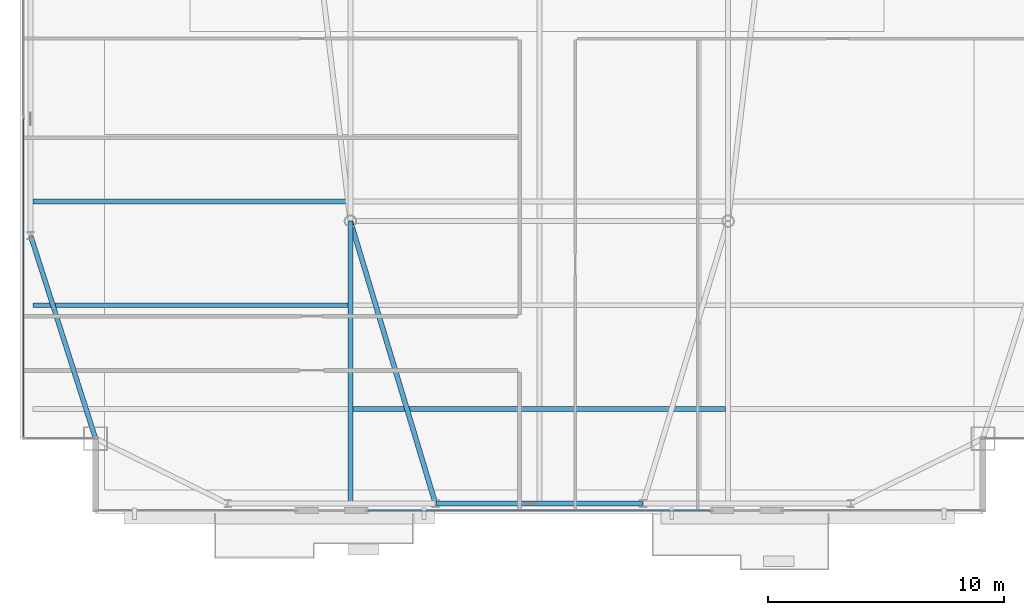
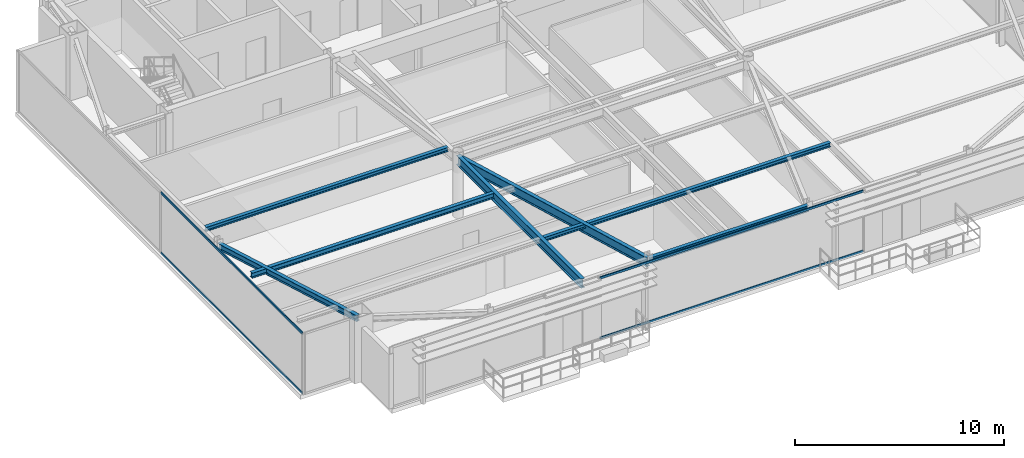
# One storey, part 6 of 23: 7 beams, 4 members, 2 elements without a shape of their own.
"""IFC4 building model written with IfcOpenShell, lengths in metres."""

from ifc_helpers import new_model, si_unit, direction, frame, origin, origin_2d, place, context, subcontext, project, spatial, hollow_rectangle, i_section, extrude, source, transform, mapped, material, layer, layer_set, material_profile, profile_set, type_object, type_shapes, element, aggregate, save


model = new_model("IFC4")

# Units and contexts
model_context = context("Model", 3, precision=1e-05, world=origin(), true_north=direction((0.0, 1.0)))
body_context = subcontext(model_context, "Body", "Model", "MODEL_VIEW")
ifc_project = project(units=[si_unit("LENGTHUNIT", "METRE"), si_unit("AREAUNIT", "SQUARE_METRE"), si_unit("VOLUMEUNIT", "CUBIC_METRE"), si_unit("PLANEANGLEUNIT", "RADIAN"), si_unit("MASSUNIT", "GRAM", prefix="KILO")], contexts=[model_context])

# Site, building, storey
site_placement = place(None, origin())
site = spatial("IfcSite", under=ifc_project, at=site_placement, CompositionType="ELEMENT")
building_placement = place(site_placement, origin())
building = spatial("IfcBuilding", under=site, at=building_placement, Name="Varnel Quay Broadcast Tower", CompositionType="ELEMENT")
storey_placement = place(building_placement, frame((0.0, 0.0, 266.0)))
storey = spatial("IfcBuildingStorey", under=building, at=storey_placement, Name="L66", CompositionType="ELEMENT", Elevation=266.0)

# Beams
ifc_material_1 = material(Name="Structural Steel CSA G40.21 350W", Category="steel")
ifc_material_profile_1 = material_profile(ifc_material_1, i_section(OverallWidth=0.205078125, OverallDepth=0.35400390625, WebThickness=0.009521484375, FlangeThickness=0.016845703125, FilletRadius=0.012939453125, at=origin_2d()), Name="W360X79")
ifc_profile_set_1 = profile_set([ifc_material_profile_1], Name="Structural Steel CSA G40.21 350W")
beam_type_1 = type_object("IfcBeamType", Name="Beam_W360X79", PredefinedType="SPANDREL", material=ifc_profile_set_1)
shared_shape_1 = source(origin(), body_context, "Body", "SweptSolid", [
    extrude(i_section(OverallWidth=0.205078125, OverallDepth=0.35400390625, WebThickness=0.009521484375, FlangeThickness=0.016845703125, FilletRadius=0.012939453125, at=origin_2d()), origin(), (0.0, 0.0, 1.0), 8.759765625),
])
beam_1_placement = place(storey_placement, frame((29.6201171875, 13.64990234375, 3.373046875), z_axis=(1.0, 0.0, 0.0), x_axis=(0.0, 1.0, 0.0)))
element("IfcBeam", 1, at=beam_1_placement, inside=storey, type_object=beam_type_1, Name="L66 South Spandrel TC-S2-TC-S3", PredefinedType="SPANDREL", context=body_context, shape_type="MappedRepresentation", body=[
    mapped(shared_shape_1, transform((0.0, 0.0, 0.0), x_axis=(1.0, 0.0, 0.0), y_axis=(0.0, 1.0, 0.0), z_axis=(0.0, 0.0, 1.0), scale=1.0)),
])
shared_shape_2 = source(origin(), body_context, "Body", "SweptSolid", [
    extrude(i_section(OverallWidth=0.205078125, OverallDepth=0.35400390625, WebThickness=0.009521484375, FlangeThickness=0.016845703125, FilletRadius=0.012939453125, at=origin_2d()), origin(), (0.0, 0.0, 1.0), 8.989013671875),
])
type_shapes(beam_type_1, [shared_shape_1, shared_shape_2])
beam_2_placement = place(storey_placement, frame((15.19384765625, 16.4189453125, 3.373046875), z_axis=(-0.304568770162, 0.952490348635, 0.0), x_axis=(-0.952490348635, -0.304568770162, 0.0)))
element("IfcBeam", 2, at=beam_2_placement, inside=storey, type_object=beam_type_1, Name="L66 West Spandrel MC-SW-TC-W1", PredefinedType="SPANDREL", context=body_context, shape_type="MappedRepresentation", body=[
    mapped(shared_shape_2, transform((0.0, 0.0, 0.0), x_axis=(1.0, 0.0, 0.0), y_axis=(0.0, 1.0, 0.0), z_axis=(0.0, 0.0, 1.0), scale=1.0)),
])
ifc_material_profile_2 = material_profile(ifc_material_1, i_section(OverallWidth=0.2119140625, OverallDepth=0.5439453125, WebThickness=0.01318359375, FlangeThickness=0.021240234375, FilletRadius=0.013916015625, at=origin_2d()), Name="W530X123")
ifc_profile_set_2 = profile_set([ifc_material_profile_2], Name="Structural Steel CSA G40.21 350W")
beam_type_2 = type_object("IfcBeamType", Name="Girder_W530X123", PredefinedType="BEAM", material=ifc_profile_set_2)
shared_shape_3 = source(origin(), body_context, "Body", "SweptSolid", [
    extrude(i_section(OverallWidth=0.2119140625, OverallDepth=0.5439453125, WebThickness=0.01318359375, FlangeThickness=0.021240234375, FilletRadius=0.013916015625, at=origin_2d()), origin(), (0.0, 0.0, 1.0), 12.449951171875),
])
beam_3_placement = place(storey_placement, frame((29.59423828125, 13.669189453125, 3.278076171875), z_axis=(-0.28822390679, 0.957563042078, 0.0), x_axis=(-0.957563042078, -0.28822390679, 0.0)))
element("IfcBeam", 3, at=beam_3_placement, inside=storey, type_object=beam_type_2, Name="L66 Primary Girder TC-S2-IC-01", PredefinedType="BEAM", context=body_context, shape_type="MappedRepresentation", body=[
    mapped(shared_shape_3, transform((0.0, 0.0, 0.0), x_axis=(1.0, 0.0, 0.0), y_axis=(0.0, 1.0, 0.0), z_axis=(0.0, 0.0, 1.0), scale=1.0)),
])
shared_shape_4 = source(origin(), body_context, "Body", "SweptSolid", [
    extrude(i_section(OverallWidth=0.2119140625, OverallDepth=0.5439453125, WebThickness=0.01318359375, FlangeThickness=0.021240234375, FilletRadius=0.013916015625, at=origin_2d()), origin(), (0.0, 0.0, 1.0), 11.920166015625),
])
type_shapes(beam_type_2, [shared_shape_3, shared_shape_4])
beam_4_placement = place(storey_placement, frame((26.0, 13.669921875, 3.278076171875), z_axis=(0.0, 1.0, 0.0), x_axis=(-1.0, 0.0, 0.0)))
element("IfcBeam", 4, at=beam_4_placement, inside=storey, type_object=beam_type_2, Name="L66 N-S Joist Header IC-01S", PredefinedType="BEAM", context=body_context, shape_type="MappedRepresentation", body=[
    mapped(shared_shape_4, transform((0.0, 0.0, 0.0), x_axis=(1.0, 0.0, 0.0), y_axis=(0.0, 1.0, 0.0), z_axis=(0.0, 0.0, 1.0), scale=1.0)),
])
ifc_material_profile_3 = material_profile(ifc_material_1, i_section(OverallWidth=0.201904296875, OverallDepth=0.2470703125, WebThickness=0.00732421875, FlangeThickness=0.010986328125, FilletRadius=0.010986328125, at=origin_2d()), Name="W250X49")
ifc_profile_set_3 = profile_set([ifc_material_profile_3], Name="Structural Steel CSA G40.21 350W")
beam_type_3 = type_object("IfcBeamType", Name="Beam_W250X49", PredefinedType="JOIST", material=ifc_profile_set_3)
shared_shape_5 = source(origin(), body_context, "Body", "SweptSolid", [
    extrude(i_section(OverallWidth=0.201904296875, OverallDepth=0.2470703125, WebThickness=0.00732421875, FlangeThickness=0.010986328125, FilletRadius=0.010986328125, at=origin_2d()), origin(), (0.0, 0.0, 1.0), 13.351318359375),
])
beam_5_placement = place(storey_placement, frame((12.547607421875, 26.449951171875, 3.426513671875), z_axis=(1.0, 0.0, 0.0), x_axis=(0.0, 1.0, 0.0)))
element("IfcBeam", 5, at=beam_5_placement, inside=storey, type_object=beam_type_3, Name="L66 West Floor Joist 3", PredefinedType="JOIST", context=body_context, shape_type="MappedRepresentation", body=[
    mapped(shared_shape_5, transform((0.0, 0.0, 0.0), x_axis=(1.0, 0.0, 0.0), y_axis=(0.0, 1.0, 0.0), z_axis=(0.0, 0.0, 1.0), scale=1.0)),
])
shared_shape_6 = source(origin(), body_context, "Body", "SweptSolid", [
    extrude(i_section(OverallWidth=0.201904296875, OverallDepth=0.2470703125, WebThickness=0.00732421875, FlangeThickness=0.010986328125, FilletRadius=0.010986328125, at=origin_2d()), origin(), (0.0, 0.0, 1.0), 15.7978515625),
])
type_shapes(beam_type_3, [shared_shape_5, shared_shape_6])
beam_6_placement = place(storey_placement, frame((26.10107421875, 17.64990234375, 3.426513671875), z_axis=(1.0, 0.0, 0.0), x_axis=(0.0, 1.0, 0.0)))
element("IfcBeam", 6, at=beam_6_placement, inside=storey, type_object=beam_type_3, Name="L66 Central Floor Joist 1", PredefinedType="JOIST", context=body_context, shape_type="MappedRepresentation", body=[
    mapped(shared_shape_6, transform((0.0, 0.0, 0.0), x_axis=(1.0, 0.0, 0.0), y_axis=(0.0, 1.0, 0.0), z_axis=(0.0, 0.0, 1.0), scale=1.0)),
])
ifc_material_profile_4 = material_profile(ifc_material_1, i_section(OverallWidth=0.202880859375, OverallDepth=0.302978515625, WebThickness=0.007568359375, FlangeThickness=0.01318359375, FilletRadius=0.011962890625, at=origin_2d()), Name="W310X60")
ifc_profile_set_4 = profile_set([ifc_material_profile_4], Name="Structural Steel CSA G40.21 350W")
beam_type_4 = type_object("IfcBeamType", Name="Beam_W310X60", PredefinedType="JOIST", material=ifc_profile_set_4)
shared_shape_7 = source(origin(), body_context, "Body", "SweptSolid", [
    extrude(i_section(OverallWidth=0.202880859375, OverallDepth=0.302978515625, WebThickness=0.007568359375, FlangeThickness=0.01318359375, FilletRadius=0.011962890625, at=origin_2d()), origin(), (0.0, 0.0, 1.0), 13.351318359375),
])
type_shapes(beam_type_4, [shared_shape_7])
beam_7_placement = place(storey_placement, frame((12.547607421875, 22.050048828125, 3.3984375), z_axis=(1.0, 0.0, 0.0), x_axis=(0.0, 1.0, 0.0)))
element("IfcBeam", 7, at=beam_7_placement, inside=storey, type_object=beam_type_4, Name="L66 West Floor Joist 2", PredefinedType="JOIST", context=body_context, shape_type="MappedRepresentation", body=[
    mapped(shared_shape_7, transform((0.0, 0.0, 0.0), x_axis=(1.0, 0.0, 0.0), y_axis=(0.0, 1.0, 0.0), z_axis=(0.0, 0.0, 1.0), scale=1.0)),
])

# Curtain wall, members
ifc_material_2 = material(Name="Anodised Bronze Aluminium 6063-T6", Category="aluminium")
ifc_layer = layer(ifc_material_2, 0.18994140625, Name="Anodised Bronze Aluminium 6063-T6")
ifc_layer_set = layer_set([ifc_layer], Name="Anodised Bronze Aluminium 6063-T6")
curtain_wall_type = type_object("IfcCurtainWallType", Name="CW_UpperTower", PredefinedType="NOTDEFINED", material=ifc_layer_set)
curtain_wall_1_placement = place(storey_placement, origin())
curtain_wall_1 = element("IfcCurtainWall", 8, at=curtain_wall_1_placement, inside=storey, type_object=curtain_wall_type, Name="L66 West Unitised Curtain Wall", PredefinedType="NOTDEFINED")
ifc_material_profile_5 = material_profile(ifc_material_2, hollow_rectangle(XDim=0.06005859375, YDim=0.125, WallThickness=0.0029296875, at=origin_2d()), Name="ALU60X125X3")
ifc_profile_set_5 = profile_set([ifc_material_profile_5], Name="Anodised Bronze Aluminium 6063-T6")
member_type = type_object("IfcMemberType", Name="Tran_CWS-03", PredefinedType="USERDEFINED", material=ifc_profile_set_5)
shared_shape_8 = source(origin(), body_context, "Body", "SweptSolid", [
    extrude(hollow_rectangle(XDim=0.06005859375, YDim=0.125, WallThickness=0.0029296875, at=origin_2d()), origin(), (0.0, 0.0, 1.0), 13.50244140625),
])
member_1_placement = place(storey_placement, frame((12.14990234375, 16.465087890625, 0.030029296875), z_axis=(0.0, 1.0, 0.0), x_axis=(-1.0, 0.0, 0.0)))
member_1 = element("IfcMember", 9, at=member_1_placement, type_object=member_type, Name="CWS-03 transom 1.1", ObjectType="TRANSOM", PredefinedType="USERDEFINED", context=body_context, shape_type="MappedRepresentation", body=[
    mapped(shared_shape_8, transform((0.0, 0.0, 0.0), x_axis=(1.0, 0.0, 0.0), y_axis=(0.0, 1.0, 0.0), z_axis=(0.0, 0.0, 1.0), scale=1.0)),
])
member_2_placement = place(storey_placement, frame((12.14990234375, 16.465087890625, 3.52001953125), z_axis=(0.0, 1.0, 0.0), x_axis=(-1.0, 0.0, 0.0)))
member_2 = element("IfcMember", 10, at=member_2_placement, type_object=member_type, Name="CWS-03 transom 1.2", ObjectType="TRANSOM", PredefinedType="USERDEFINED", context=body_context, shape_type="MappedRepresentation", body=[
    mapped(shared_shape_8, transform((0.0, 0.0, 0.0), x_axis=(1.0, 0.0, 0.0), y_axis=(0.0, 1.0, 0.0), z_axis=(0.0, 0.0, 1.0), scale=1.0)),
])
aggregate(curtain_wall_1, [member_1, member_2])

curtain_wall_2_placement = place(storey_placement, origin())
curtain_wall_2 = element("IfcCurtainWall", 11, at=curtain_wall_2_placement, inside=storey, type_object=curtain_wall_type, Name="L66 South Unitised Curtain Wall 2", PredefinedType="NOTDEFINED")
shared_shape_9 = source(origin(), body_context, "Body", "SweptSolid", [
    extrude(hollow_rectangle(XDim=0.06005859375, YDim=0.125, WallThickness=0.0029296875, at=origin_2d()), origin(), (0.0, 0.0, 1.0), 14.509765625),
])
type_shapes(member_type, [shared_shape_8, shared_shape_9])
member_3_placement = place(storey_placement, frame((26.7451171875, 13.35009765625, 0.030029296875), z_axis=(1.0, 0.0, 0.0), x_axis=(0.0, 1.0, 0.0)))
member_3 = element("IfcMember", 12, at=member_3_placement, type_object=member_type, Name="CWS-03 transom 1.1", ObjectType="TRANSOM", PredefinedType="USERDEFINED", context=body_context, shape_type="MappedRepresentation", body=[
    mapped(shared_shape_9, transform((0.0, 0.0, 0.0), x_axis=(1.0, 0.0, 0.0), y_axis=(0.0, 1.0, 0.0), z_axis=(0.0, 0.0, 1.0), scale=1.0)),
])
member_4_placement = place(storey_placement, frame((26.7451171875, 13.35009765625, 3.52001953125), z_axis=(1.0, 0.0, 0.0), x_axis=(0.0, 1.0, 0.0)))
member_4 = element("IfcMember", 13, at=member_4_placement, type_object=member_type, Name="CWS-03 transom 1.2", ObjectType="TRANSOM", PredefinedType="USERDEFINED", context=body_context, shape_type="MappedRepresentation", body=[
    mapped(shared_shape_9, transform((0.0, 0.0, 0.0), x_axis=(1.0, 0.0, 0.0), y_axis=(0.0, 1.0, 0.0), z_axis=(0.0, 0.0, 1.0), scale=1.0)),
])
aggregate(curtain_wall_2, [member_3, member_4])

save(model, "model.ifc")
